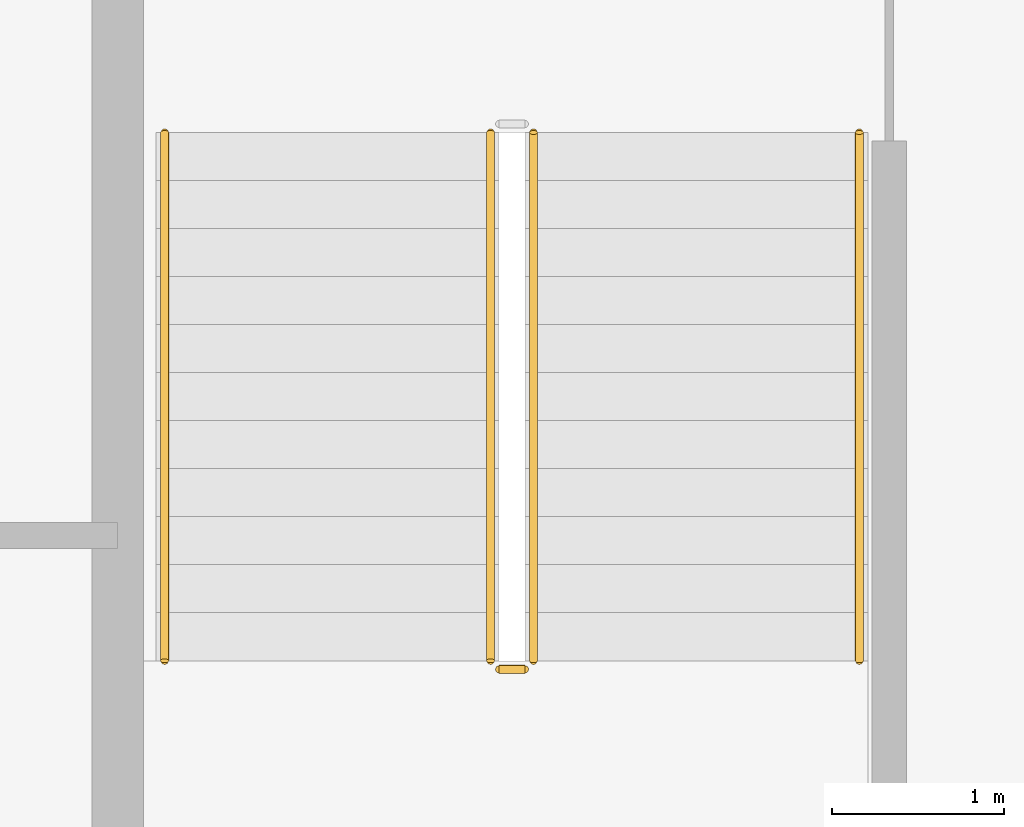
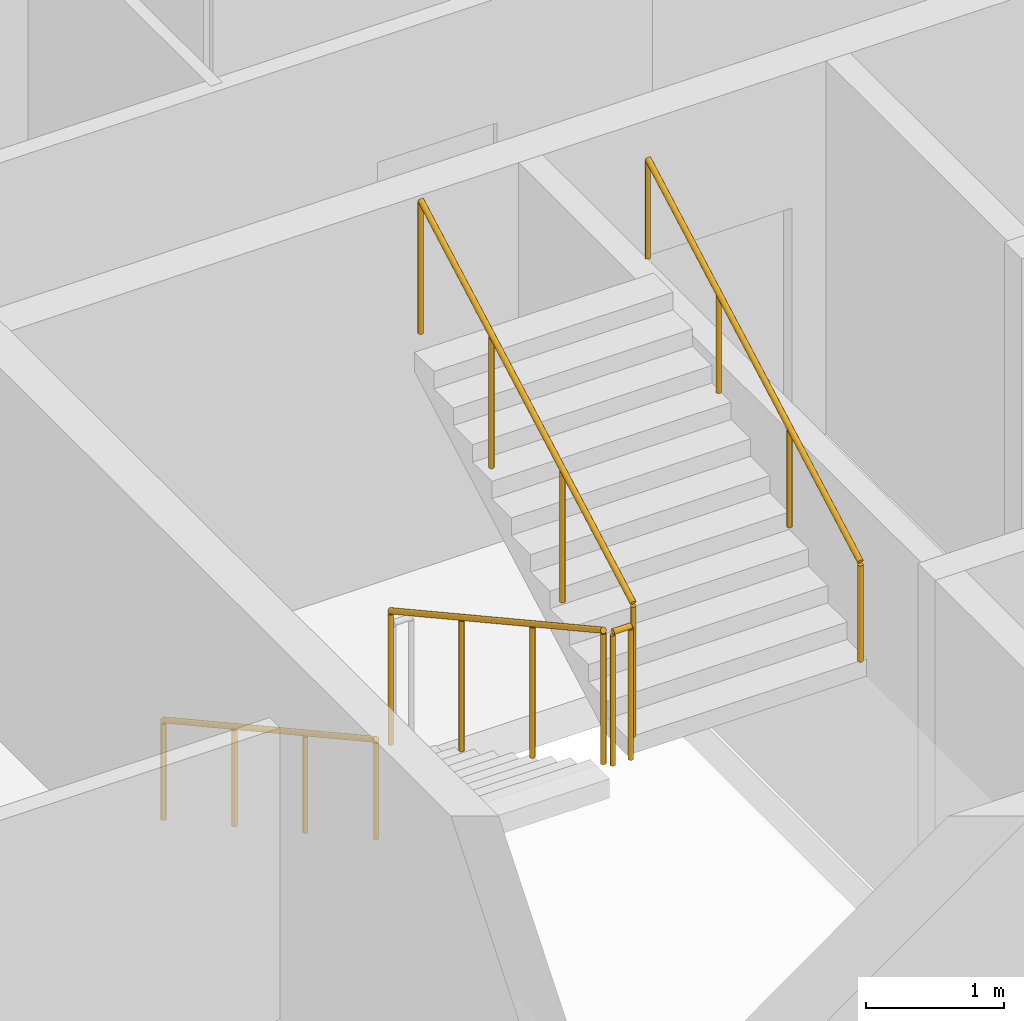
# One storey, part 9 of 11: 5 railings.
"""IFC4 building model written with IfcOpenShell, lengths in metres."""

from ifc_helpers import new_model, si_unit, direction, frame, origin, origin_2d, place, context, subcontext, project, spatial, circle, extrude, material, type_object, element, save


model = new_model("IFC4")

# Units and contexts
model_context = context("Model", 3, precision=1e-05, world=origin(), true_north=direction((0.0, 1.0)))
body_context = subcontext(model_context, "Body", "Model", "MODEL_VIEW")
ifc_project = project(units=[si_unit("LENGTHUNIT", "METRE"), si_unit("AREAUNIT", "SQUARE_METRE"), si_unit("VOLUMEUNIT", "CUBIC_METRE"), si_unit("PLANEANGLEUNIT", "RADIAN"), si_unit("MASSUNIT", "GRAM", prefix="KILO")], contexts=[model_context])

# Site, building, storey
site_placement = place(None, origin())
site = spatial("IfcSite", under=ifc_project, at=site_placement, CompositionType="ELEMENT")
building_placement = place(site_placement, origin())
building = spatial("IfcBuilding", under=site, at=building_placement, Name="Caravel Reach Hotel and Residences", CompositionType="ELEMENT")
storey_placement = place(building_placement, frame((0.0, 0.0, 274.89990234375)))
storey = spatial("IfcBuildingStorey", under=building, at=storey_placement, Name="L70", CompositionType="ELEMENT", Elevation=274.89990234375)

# Railings
ifc_material_1 = material(Name="Steel balustrade with glass infill", Category="steel")
railing_type_1 = type_object("IfcRailingType", Name="Guard 1200", PredefinedType="GUARDRAIL", material=ifc_material_1)
railing_1_placement = place(storey_placement, frame((20.175048828125, 29.35009765625, 0.154296875)))
element("IfcRailing", 1, at=railing_1_placement, inside=storey, type_object=railing_type_1, Name="L70 ST-A stair guard 1", PredefinedType="GUARDRAIL", context=body_context, shape_type="SweptSolid", body=[
    extrude(circle(Radius=0.02392578125, at=origin_2d()), frame((0.0, 0.0, 1.17578125), z_axis=(0.0, -0.876004717809, 0.482302534076), x_axis=(1.0, 0.0, 0.0)), (0.0, 0.0, 1.0), 3.51611328125),
    extrude(circle(Radius=0.02099609375, at=origin_2d()), origin(), (0.0, 0.0, 1.0), 1.15185546875),
    extrude(circle(Radius=0.02099609375, at=origin_2d()), frame((0.0, -1.026611328125, 0.565185546875)), (0.0, 0.0, 1.0), 1.15185546875),
    extrude(circle(Radius=0.02099609375, at=origin_2d()), frame((0.0, -2.053466796875, 1.130615234375)), (0.0, 0.0, 1.0), 1.15185546875),
    extrude(circle(Radius=0.02099609375, at=origin_2d()), frame((0.0, -3.080078125, 1.69580078125)), (0.0, 0.0, 1.0), 1.15185546875),
])
railing_2_placement = place(storey_placement, frame((20.22509765625, 26.219970703125, 1.85009765625)))
element("IfcRailing", 2, at=railing_2_placement, inside=storey, type_object=railing_type_1, Name="L70 ST-A stair guard 2", PredefinedType="GUARDRAIL", context=body_context, shape_type="SweptSolid", body=[
    extrude(circle(Radius=0.02392578125, at=origin_2d()), frame((0.0, 0.0, 1.17578125), z_axis=(1.0, 0.0, 0.0), x_axis=(0.0, 1.0, 0.0)), (0.0, 0.0, 1.0), 0.14990234375),
    extrude(circle(Radius=0.02099609375, at=origin_2d()), origin(), (0.0, 0.0, 1.0), 1.15185546875),
    extrude(circle(Radius=0.02099609375, at=origin_2d()), frame((0.14990234375, 0.0, 0.0)), (0.0, 0.0, 1.0), 1.15185546875),
])
railing_3_placement = place(storey_placement, frame((20.425048828125, 26.27001953125, 2.004150390625)))
element("IfcRailing", 3, at=railing_3_placement, inside=storey, type_object=railing_type_1, Name="L70 ST-A stair guard 3", PredefinedType="GUARDRAIL", context=body_context, shape_type="SweptSolid", body=[
    extrude(circle(Radius=0.02392578125, at=origin_2d()), frame((0.0, 0.0, 1.17578125), z_axis=(0.0, 0.875975380505, 0.482355815502), x_axis=(-1.0, 0.0, 0.0)), (0.0, 0.0, 1.0), 3.51611328125),
    extrude(circle(Radius=0.02099609375, at=origin_2d()), origin(), (0.0, 0.0, 1.0), 1.15185546875),
    extrude(circle(Radius=0.02099609375, at=origin_2d()), frame((0.0, 1.026611328125, 0.5654296875)), (0.0, 0.0, 1.0), 1.15185546875),
    extrude(circle(Radius=0.02099609375, at=origin_2d()), frame((0.0, 2.053466796875, 1.130615234375)), (0.0, 0.0, 1.0), 1.15185546875),
    extrude(circle(Radius=0.02099609375, at=origin_2d()), frame((0.0, 3.080078125, 1.696044921875)), (0.0, 0.0, 1.0), 1.15185546875),
])
ifc_material_2 = material(Name="Stainless steel handrail", Category="steel")
railing_type_2 = type_object("IfcRailingType", Name="Handrail 900", PredefinedType="HANDRAIL", material=ifc_material_2)
railing_4_placement = place(storey_placement, frame((18.27490234375, 29.35009765625, 0.154296875)))
element("IfcRailing", 4, at=railing_4_placement, inside=storey, type_object=railing_type_2, Name="L70 ST-A stair handrail 1", PredefinedType="HANDRAIL", context=body_context, shape_type="SweptSolid", body=[
    extrude(circle(Radius=0.02392578125, at=origin_2d()), frame((0.0, 0.0, 0.8759765625), z_axis=(0.0, -0.876004717809, 0.482302534076), x_axis=(1.0, 0.0, 0.0)), (0.0, 0.0, 1.0), 3.51611328125),
    extrude(circle(Radius=0.02099609375, at=origin_2d()), origin(), (0.0, 0.0, 1.0), 0.851806640625),
    extrude(circle(Radius=0.02099609375, at=origin_2d()), frame((0.0, -1.026611328125, 0.565185546875)), (0.0, 0.0, 1.0), 0.851806640625),
    extrude(circle(Radius=0.02099609375, at=origin_2d()), frame((0.0, -2.053466796875, 1.130615234375)), (0.0, 0.0, 1.0), 0.851806640625),
    extrude(circle(Radius=0.02099609375, at=origin_2d()), frame((0.0, -3.080078125, 1.69580078125)), (0.0, 0.0, 1.0), 0.851806640625),
])
railing_5_placement = place(storey_placement, frame((22.324951171875, 26.27001953125, 2.004150390625)))
element("IfcRailing", 5, at=railing_5_placement, inside=storey, type_object=railing_type_2, Name="L70 ST-A stair handrail 2", PredefinedType="HANDRAIL", context=body_context, shape_type="SweptSolid", body=[
    extrude(circle(Radius=0.02392578125, at=origin_2d()), frame((0.0, 0.0, 0.8759765625), z_axis=(0.0, 0.875975380505, 0.482355815502), x_axis=(-1.0, 0.0, 0.0)), (0.0, 0.0, 1.0), 3.51611328125),
    extrude(circle(Radius=0.02099609375, at=origin_2d()), origin(), (0.0, 0.0, 1.0), 0.851806640625),
    extrude(circle(Radius=0.02099609375, at=origin_2d()), frame((0.0, 1.026611328125, 0.5654296875)), (0.0, 0.0, 1.0), 0.851806640625),
    extrude(circle(Radius=0.02099609375, at=origin_2d()), frame((0.0, 2.053466796875, 1.130615234375)), (0.0, 0.0, 1.0), 0.851806640625),
    extrude(circle(Radius=0.02099609375, at=origin_2d()), frame((0.0, 3.080078125, 1.696044921875)), (0.0, 0.0, 1.0), 0.851806640625),
])

save(model, "model.ifc")
